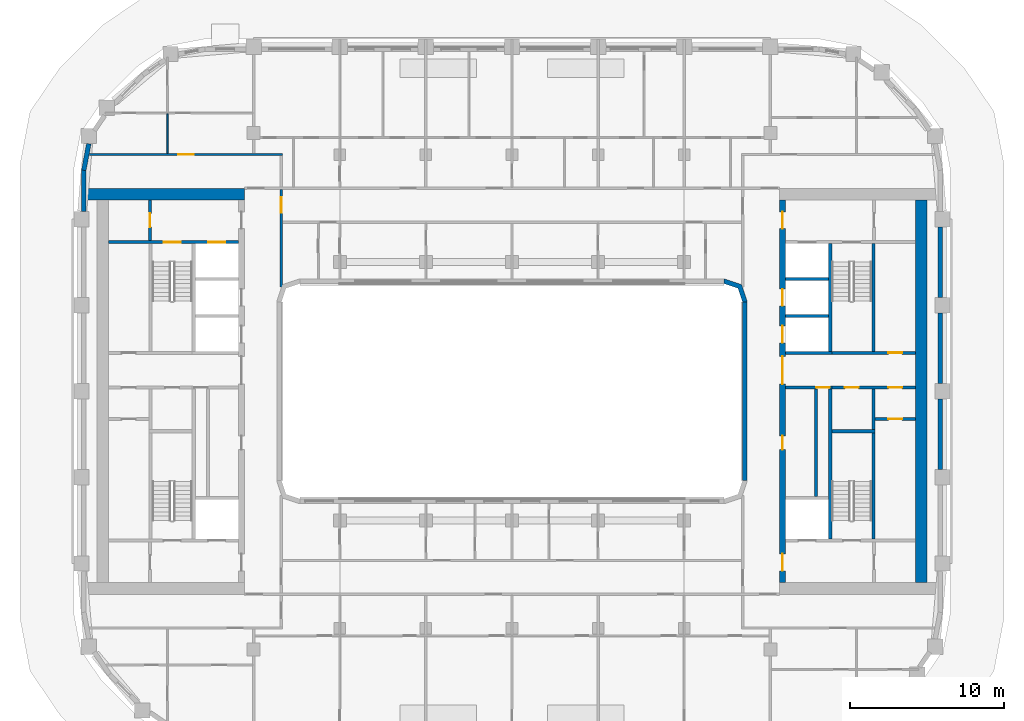
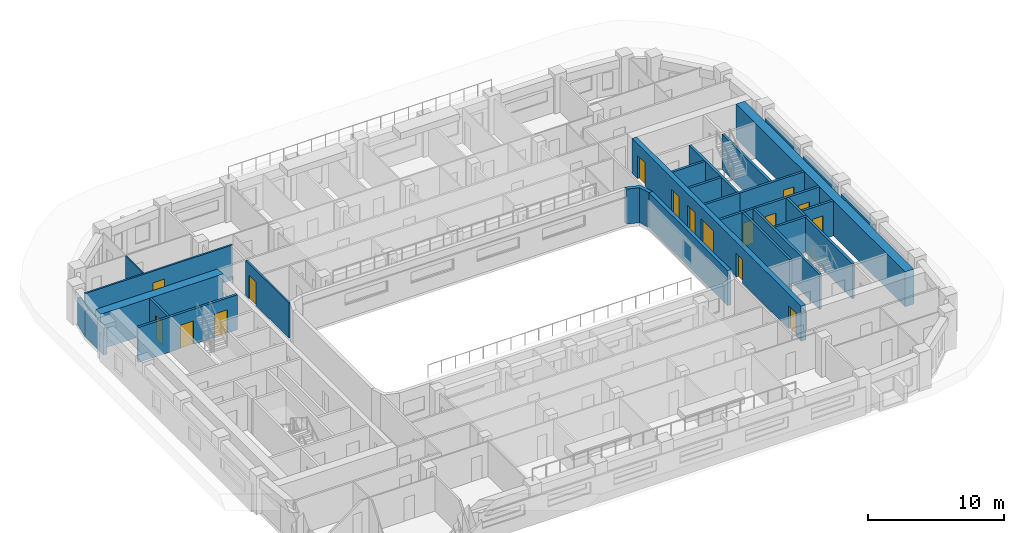
# One storey, part 6 of 17: 29 walls, 16 doors, 16 openings.
"""IFC4 building model written with IfcOpenShell, lengths in metres."""

from ifc_helpers import new_model, si_unit, direction, frame, frame_2d, origin, place, context, subcontext, project, spatial, polyline, rectangle, outline, extrude, material, layer, layer_set, type_object, element, fill, save


model = new_model("IFC4")

# Units and contexts
model_context = context("Model", 3, precision=1e-05, world=origin(), true_north=direction((0.0, 1.0)))
body_context = subcontext(model_context, "Body", "Model", "MODEL_VIEW")
ifc_project = project(units=[si_unit("LENGTHUNIT", "METRE"), si_unit("AREAUNIT", "SQUARE_METRE"), si_unit("VOLUMEUNIT", "CUBIC_METRE"), si_unit("PLANEANGLEUNIT", "RADIAN"), si_unit("MASSUNIT", "GRAM", prefix="KILO")], contexts=[model_context])

# Site, building, storey
site_placement = place(None, origin())
site = spatial("IfcSite", under=ifc_project, at=site_placement, CompositionType="ELEMENT")
building_placement = place(site_placement, origin())
building = spatial("IfcBuilding", under=site, at=building_placement, Name="Kiln Ring Residences", CompositionType="ELEMENT")
storey_placement = place(building_placement, frame((0.0, 0.0, 174.60009765625)))
storey = spatial("IfcBuildingStorey", under=building, at=storey_placement, Name="L45", CompositionType="ELEMENT", Elevation=174.60009765625)

# Wall, opening, door
ifc_material_1 = material(Name="Gypsum board on steel studs", Category="steel")
ifc_layer_1 = layer(ifc_material_1, 0.199951171875)
ifc_layer_set_1 = layer_set([ifc_layer_1], Name="CORE-PARTITION-200")
wall_type_1 = type_object("IfcWallType", Name="CORE-PARTITION-200", PredefinedType="PARTITIONING", material=ifc_layer_set_1)
wall_1_placement = place(storey_placement, frame((-23.550048828125, 9.800048828125, 0.0), z_axis=(0.0, 0.0, 1.0), x_axis=(0.0, 1.0, 0.0)))
wall_1 = element("IfcWall", 1, at=wall_1_placement, inside=storey, type_object=wall_type_1, Name="Core partition west L45 4", PredefinedType="PARTITIONING", context=body_context, shape_type="SweptSolid", body=[
    extrude(rectangle(XDim=2.64990234375, YDim=0.199951171875, at=frame_2d((1.324951171875, 0.0))), origin(), (0.0, 0.0, 1.0), 3.14990234375),
])
opening_1_placement = place(wall_1_placement, frame((0.875, 0.0, 0.0)))
opening_1 = element("IfcOpeningElement", 2, at=opening_1_placement, cuts=wall_1, Name="Opening L45-CW09", PredefinedType="OPENING", context=body_context, shape_type="SweptSolid", body=[
    extrude(rectangle(XDim=0.89990234375, YDim=2.10009765625, at=frame_2d((0.449951171875, 1.050048828125))), frame((0.0, 0.10986328125, 0.0), z_axis=(0.0, -1.0, 0.0), x_axis=(1.0, 0.0, 0.0)), (0.0, 0.0, 1.0), 0.219970703125),
])
ifc_material_2 = material(Name="Steel door leaf", Category="steel")
door_type_1 = type_object("IfcDoorType", Name="CORE-DOOR-ROOM", OperationType="SINGLE_SWING_LEFT", PredefinedType="DOOR", material=ifc_material_2)
door_1_placement = place(opening_1_placement, origin())
door_1 = element("IfcDoor", 3, at=door_1_placement, inside=storey, type_object=door_type_1, Name="Fire riser room L45-CW09", OperationType="SINGLE_SWING_LEFT", OverallHeight=2.10009765625, OverallWidth=0.89990234375, PredefinedType="DOOR", context=body_context, shape_type="SweptSolid", body=[
    extrude(rectangle(XDim=0.89990234375, YDim=2.10009765625, at=frame_2d((0.449951171875, 1.050048828125))), frame((0.0, 0.02490234375, 0.0), z_axis=(0.0, -1.0, 0.0), x_axis=(1.0, 0.0, 0.0)), (0.0, 0.0, 1.0), 0.050048828125),
])
fill(opening_1, door_1)

# Wall
wall_2_placement = place(storey_placement, frame((23.5, -2.5, 0.0), z_axis=(0.0, 0.0, 1.0), x_axis=(0.0, 1.0, 0.0)))
element("IfcWall", 4, at=wall_2_placement, inside=storey, type_object=wall_type_1, Name="Core partition east L45 1", PredefinedType="PARTITIONING", context=body_context, shape_type="SweptSolid", body=[
    extrude(rectangle(XDim=2.64990234375, YDim=0.199951171875, at=frame_2d((1.324951171875, 0.0))), origin(), (0.0, 0.0, 1.0), 3.14990234375),
])

# Wall, openings, doors
wall_3_placement = place(storey_placement, frame((20.800048828125, 0.25, 0.0), z_axis=(0.0, 0.0, 1.0), x_axis=(1.0, 0.0, 0.0)))
wall_3 = element("IfcWall", 5, at=wall_3_placement, inside=storey, type_object=wall_type_1, Name="Core partition east L45 2", PredefinedType="PARTITIONING", context=body_context, shape_type="SweptSolid", body=[
    extrude(rectangle(XDim=5.449951171875, YDim=0.199951171875, at=frame_2d((2.72509765625, 0.0))), origin(), (0.0, 0.0, 1.0), 3.14990234375),
])
opening_2_placement = place(wall_3_placement, frame((0.85009765625, 0.0, 0.0)))
opening_2 = element("IfcOpeningElement", 6, at=opening_2_placement, cuts=wall_3, Name="Opening L45-CE14", PredefinedType="OPENING", context=body_context, shape_type="SweptSolid", body=[
    extrude(rectangle(XDim=0.89990234375, YDim=2.10009765625, at=frame_2d((0.449951171875, 1.050048828125))), frame((0.0, 0.10986328125, 0.0), z_axis=(0.0, -1.0, 0.0), x_axis=(1.0, 0.0, 0.0)), (0.0, 0.0, 1.0), 0.219970703125),
])
opening_3_placement = place(wall_3_placement, frame((3.675048828125, 0.0, 0.0)))
opening_3 = element("IfcOpeningElement", 7, at=opening_3_placement, cuts=wall_3, Name="Opening L45-CE16", PredefinedType="OPENING", context=body_context, shape_type="SweptSolid", body=[
    extrude(rectangle(XDim=0.89990234375, YDim=2.10009765625, at=frame_2d((0.449951171875, 1.050048828125))), frame((0.0, 0.10986328125, 0.0), z_axis=(0.0, -1.0, 0.0), x_axis=(1.0, 0.0, 0.0)), (0.0, 0.0, 1.0), 0.219970703125),
])
door_2_placement = place(opening_2_placement, origin())
door_2 = element("IfcDoor", 8, at=door_2_placement, inside=storey, type_object=door_type_1, Name="Linen store L45-CE14", OperationType="SINGLE_SWING_LEFT", OverallHeight=2.10009765625, OverallWidth=0.89990234375, PredefinedType="DOOR", context=body_context, shape_type="SweptSolid", body=[
    extrude(rectangle(XDim=0.89990234375, YDim=2.10009765625, at=frame_2d((0.449951171875, 1.050048828125))), frame((0.0, 0.02490234375, 0.0), z_axis=(0.0, -1.0, 0.0), x_axis=(1.0, 0.0, 0.0)), (0.0, 0.0, 1.0), 0.050048828125),
])
fill(opening_2, door_2)
door_3_placement = place(opening_3_placement, origin())
door_3 = element("IfcDoor", 9, at=door_3_placement, inside=storey, type_object=door_type_1, Name="Pump and valve room L45-CE16", OperationType="SINGLE_SWING_LEFT", OverallHeight=2.10009765625, OverallWidth=0.89990234375, PredefinedType="DOOR", context=body_context, shape_type="SweptSolid", body=[
    extrude(rectangle(XDim=0.89990234375, YDim=2.10009765625, at=frame_2d((0.449951171875, 1.050048828125))), frame((0.0, 0.02490234375, 0.0), z_axis=(0.0, -1.0, 0.0), x_axis=(1.0, 0.0, 0.0)), (0.0, 0.0, 1.0), 0.050048828125),
])
fill(opening_3, door_3)

# Wall
wall_4_placement = place(storey_placement, frame((19.760009765625, -6.85009765625, 0.0), z_axis=(0.0, 0.0, 1.0), x_axis=(0.0, 1.0, 0.0)))
element("IfcWall", 10, at=wall_4_placement, inside=storey, type_object=wall_type_1, Name="Core partition east L45 3", PredefinedType="PARTITIONING", context=body_context, shape_type="SweptSolid", body=[
    extrude(rectangle(XDim=7.0, YDim=0.199951171875, at=frame_2d((3.5, 0.0))), origin(), (0.0, 0.0, 1.0), 3.14990234375),
])

# Wall, opening, door
wall_5_placement = place(storey_placement, frame((23.60009765625, -1.800048828125, 0.0), z_axis=(0.0, 0.0, 1.0), x_axis=(1.0, 0.0, 0.0)))
wall_5 = element("IfcWall", 11, at=wall_5_placement, inside=storey, type_object=wall_type_1, Name="Core partition east L45 6", PredefinedType="PARTITIONING", context=body_context, shape_type="SweptSolid", body=[
    extrude(rectangle(XDim=2.64990234375, YDim=0.199951171875, at=frame_2d((1.324951171875, 0.0))), origin(), (0.0, 0.0, 1.0), 3.14990234375),
])
opening_4_placement = place(wall_5_placement, frame((0.875, 0.0, 0.0)))
opening_4 = element("IfcOpeningElement", 12, at=opening_4_placement, cuts=wall_5, Name="Opening L45-CE15", PredefinedType="OPENING", context=body_context, shape_type="SweptSolid", body=[
    extrude(rectangle(XDim=0.89990234375, YDim=2.10009765625, at=frame_2d((0.449951171875, 1.050048828125))), frame((0.0, 0.10986328125, 0.0), z_axis=(0.0, -1.0, 0.0), x_axis=(1.0, 0.0, 0.0)), (0.0, 0.0, 1.0), 0.219970703125),
])
door_4_placement = place(opening_4_placement, origin())
door_4 = element("IfcDoor", 13, at=door_4_placement, inside=storey, type_object=door_type_1, Name="Pump and valve room L45-CE15", OperationType="SINGLE_SWING_LEFT", OverallHeight=2.10009765625, OverallWidth=0.89990234375, PredefinedType="DOOR", context=body_context, shape_type="SweptSolid", body=[
    extrude(rectangle(XDim=0.89990234375, YDim=2.10009765625, at=frame_2d((0.449951171875, 1.050048828125))), frame((0.0, 0.02490234375, 0.0), z_axis=(0.0, -1.0, 0.0), x_axis=(1.0, 0.0, 0.0)), (0.0, 0.0, 1.0), 0.050048828125),
])
fill(opening_4, door_4)

ifc_material_3 = material(Name="Gypsum shaft wall system")
ifc_layer_2 = layer(ifc_material_3, 0.199951171875)
ifc_layer_set_2 = layer_set([ifc_layer_2], Name="CORE-SHAFT-WALL-200")
wall_type_2 = type_object("IfcWallType", Name="CORE-SHAFT-WALL-200", PredefinedType="PARTITIONING", material=ifc_layer_set_2)
wall_6_placement = place(storey_placement, frame((17.800048828125, 0.25, 0.0), z_axis=(0.0, 0.0, 1.0), x_axis=(1.0, 0.0, 0.0)))
wall_6 = element("IfcWall", 14, at=wall_6_placement, inside=storey, type_object=wall_type_2, Name="Core partition east L45 8", PredefinedType="PARTITIONING", context=body_context, shape_type="SweptSolid", body=[
    extrude(rectangle(XDim=3.0, YDim=0.199951171875, at=frame_2d((1.5, 0.0))), origin(), (0.0, 0.0, 1.0), 3.14990234375),
])
opening_5_placement = place(wall_6_placement, frame((1.97998046875, 0.0, 0.0)))
opening_5 = element("IfcOpeningElement", 15, at=opening_5_placement, cuts=wall_6, Name="Opening L45-CE03", PredefinedType="OPENING", context=body_context, shape_type="SweptSolid", body=[
    extrude(rectangle(XDim=0.89990234375, YDim=2.10009765625, at=frame_2d((0.449951171875, 1.050048828125))), frame((0.0, 0.10986328125, 0.0), z_axis=(0.0, -1.0, 0.0), x_axis=(1.0, 0.0, 0.0)), (0.0, 0.0, 1.0), 0.219970703125),
])
door_5_placement = place(opening_5_placement, origin())
door_5 = element("IfcDoor", 16, at=door_5_placement, inside=storey, type_object=door_type_1, Name="Waste room L45-CE03", OperationType="SINGLE_SWING_RIGHT", OverallHeight=2.10009765625, OverallWidth=0.89990234375, PredefinedType="DOOR", context=body_context, shape_type="SweptSolid", body=[
    extrude(rectangle(XDim=0.89990234375, YDim=2.10009765625, at=frame_2d((0.449951171875, 1.050048828125))), frame((0.0, 0.02490234375, 0.0), z_axis=(0.0, -1.0, 0.0), x_axis=(1.0, 0.0, 0.0)), (0.0, 0.0, 1.0), 0.050048828125),
])
fill(opening_5, door_5)

# Walls
wall_7_placement = place(storey_placement, frame((17.800048828125, 2.5, 0.0), z_axis=(0.0, 0.0, 1.0), x_axis=(1.0, 0.0, 0.0)))
element("IfcWall", 17, at=wall_7_placement, inside=storey, type_object=wall_type_2, Name="Core partition east L45 9", PredefinedType="PARTITIONING", context=body_context, shape_type="SweptSolid", body=[
    extrude(rectangle(XDim=3.0, YDim=0.199951171875, at=frame_2d((1.5, 0.0))), origin(), (0.0, 0.0, 1.0), 3.14990234375),
])
for number, where, z_axis, x_axis, name in (
    (18, (17.800048828125, 4.89990234375, 0.0), (0.0, 0.0, 1.0), (1.0, 0.0, 0.0), "Core partition east L45 10"),
    (19, (17.800048828125, 7.300048828125, 0.0), (0.0, 0.0, 1.0), (1.0, 0.0, 0.0), "Core partition east L45 11"),
):
    element("IfcWall", number, at=place(storey_placement, frame(where, z_axis=z_axis, x_axis=x_axis)), inside=storey, type_object=wall_type_2, Name=name, PredefinedType="PARTITIONING", context=body_context, shape_type="SweptSolid", body=[
        extrude(rectangle(XDim=2.800048828125, YDim=0.199951171875, at=frame_2d((1.39990234375, 0.0))), origin(), (0.0, 0.0, 1.0), 3.14990234375),
    ])

# Wall, openings, doors
ifc_material_4 = material(Name="Concrete C40/50", Category="concrete")
ifc_layer_3 = layer(ifc_material_4, 0.199951171875)
ifc_layer_set_3 = layer_set([ifc_layer_3], Name="CORE-WALL-RC200")
wall_type_3 = type_object("IfcWallType", Name="CORE-WALL-RC200", PredefinedType="SHEAR", material=ifc_layer_set_3)
wall_8_placement = place(storey_placement, frame((-17.800048828125, 9.699951171875, 0.0), z_axis=(0.0, 0.0, 1.0), x_axis=(-1.0, 0.0, 0.0)))
wall_8 = element("IfcWall", 20, at=wall_8_placement, inside=storey, type_object=wall_type_3, Name="Core wall west L45 9", PredefinedType="SHEAR", context=body_context, shape_type="SweptSolid", body=[
    extrude(rectangle(XDim=8.449951171875, YDim=0.199951171875, at=frame_2d((4.22509765625, 0.0))), origin(), (0.0, 0.0, 1.0), 3.14990234375),
])
opening_6_placement = place(wall_8_placement, frame((0.85009765625, 0.0, 0.0)))
opening_6 = element("IfcOpeningElement", 21, at=opening_6_placement, cuts=wall_8, Name="Opening L45-CW06", PredefinedType="OPENING", context=body_context, shape_type="SweptSolid", body=[
    extrude(rectangle(XDim=1.10009765625, YDim=2.10009765625, at=frame_2d((0.550048828125, 1.050048828125))), frame((0.0, 0.10986328125, 0.0), z_axis=(0.0, -1.0, 0.0), x_axis=(1.0, 0.0, 0.0)), (0.0, 0.0, 1.0), 0.219970703125),
])
opening_7_placement = place(wall_8_placement, frame((3.75, 0.0, 0.0)))
opening_7 = element("IfcOpeningElement", 22, at=opening_7_placement, cuts=wall_8, Name="Opening L45-CW11", PredefinedType="OPENING", context=body_context, shape_type="SweptSolid", body=[
    extrude(rectangle(XDim=1.10009765625, YDim=2.10009765625, at=frame_2d((0.550048828125, 1.050048828125))), frame((0.0, 0.10986328125, 0.0), z_axis=(0.0, -1.0, 0.0), x_axis=(1.0, 0.0, 0.0)), (0.0, 0.0, 1.0), 0.219970703125),
])
ifc_material_5 = material(Name="Steel door leaf", Category="steel")
door_type_2 = type_object("IfcDoorType", Name="CORE-DOOR-LD", OperationType="DOUBLE_DOOR_SLIDING", PredefinedType="DOOR", material=ifc_material_5)
door_6_placement = place(opening_6_placement, origin())
door_6 = element("IfcDoor", 23, at=door_6_placement, inside=storey, type_object=door_type_2, Name="LD W-FF L45-CW06", OperationType="DOUBLE_DOOR_SLIDING", OverallHeight=2.10009765625, OverallWidth=1.10009765625, PredefinedType="DOOR", context=body_context, shape_type="SweptSolid", body=[
    extrude(rectangle(XDim=1.10009765625, YDim=2.10009765625, at=frame_2d((0.550048828125, 1.050048828125))), frame((0.0, 0.02490234375, 0.0), z_axis=(0.0, -1.0, 0.0), x_axis=(1.0, 0.0, 0.0)), (0.0, 0.0, 1.0), 0.050048828125),
])
fill(opening_6, door_6)
ifc_material_6 = material(Name="Steel door leaf", Category="steel")
door_type_3 = type_object("IfcDoorType", Name="CORE-DOOR-STAIR", OperationType="SINGLE_SWING_LEFT", PredefinedType="DOOR", material=ifc_material_6)
door_7_placement = place(opening_7_placement, origin())
door_7 = element("IfcDoor", 24, at=door_7_placement, inside=storey, type_object=door_type_3, Name="Stair W-STN L45-CW11", OperationType="SINGLE_SWING_LEFT", OverallHeight=2.10009765625, OverallWidth=1.10009765625, PredefinedType="DOOR", context=body_context, shape_type="SweptSolid", body=[
    extrude(rectangle(XDim=1.10009765625, YDim=2.10009765625, at=frame_2d((0.550048828125, 1.050048828125))), frame((0.0, 0.02490234375, 0.0), z_axis=(0.0, -1.0, 0.0), x_axis=(1.0, 0.0, 0.0)), (0.0, 0.0, 1.0), 0.050048828125),
])
fill(opening_7, door_7)

# Walls
wall_9_placement = place(storey_placement, frame((20.699951171875, 2.60009765625, 0.0), z_axis=(0.0, 0.0, 1.0), x_axis=(0.0, 1.0, 0.0)))
element("IfcWall", 25, at=wall_9_placement, inside=storey, type_object=wall_type_3, Name="Core wall east L45 1", PredefinedType="SHEAR", context=body_context, shape_type="SweptSolid", body=[
    extrude(rectangle(XDim=7.0, YDim=0.199951171875, at=frame_2d((3.5, 0.0))), origin(), (0.0, 0.0, 1.0), 3.14990234375),
])
wall_10_placement = place(storey_placement, frame((20.699951171875, -9.60009765625, 0.0), z_axis=(0.0, 0.0, 1.0), x_axis=(0.0, 1.0, 0.0)))
element("IfcWall", 26, at=wall_10_placement, inside=storey, type_object=wall_type_3, Name="Core wall east L45 2", PredefinedType="SHEAR", context=body_context, shape_type="SweptSolid", body=[
    extrude(rectangle(XDim=9.75, YDim=0.199951171875, at=frame_2d((4.875, 0.0))), origin(), (0.0, 0.0, 1.0), 3.14990234375),
])

# Wall, opening, door
wall_11_placement = place(storey_placement, frame((20.800048828125, 2.5, 0.0), z_axis=(0.0, 0.0, 1.0), x_axis=(1.0, 0.0, 0.0)))
wall_11 = element("IfcWall", 27, at=wall_11_placement, inside=storey, type_object=wall_type_3, Name="Core wall east L45 3", PredefinedType="SHEAR", context=body_context, shape_type="SweptSolid", body=[
    extrude(rectangle(XDim=5.449951171875, YDim=0.199951171875, at=frame_2d((2.72509765625, 0.0))), origin(), (0.0, 0.0, 1.0), 3.14990234375),
])
opening_8_placement = place(wall_11_placement, frame((3.675048828125, 0.0, 0.0)))
opening_8 = element("IfcOpeningElement", 28, at=opening_8_placement, cuts=wall_11, Name="Opening L45-CE17", PredefinedType="OPENING", context=body_context, shape_type="SweptSolid", body=[
    extrude(rectangle(XDim=0.89990234375, YDim=2.10009765625, at=frame_2d((0.449951171875, 1.050048828125))), frame((0.0, 0.10986328125, 0.0), z_axis=(0.0, -1.0, 0.0), x_axis=(1.0, 0.0, 0.0)), (0.0, 0.0, 1.0), 0.219970703125),
])
door_8_placement = place(opening_8_placement, origin())
door_8 = element("IfcDoor", 29, at=door_8_placement, inside=storey, type_object=door_type_1, Name="Electrical plant room L45-CE17", OperationType="SINGLE_SWING_LEFT", OverallHeight=2.10009765625, OverallWidth=0.89990234375, PredefinedType="DOOR", context=body_context, shape_type="SweptSolid", body=[
    extrude(rectangle(XDim=0.89990234375, YDim=2.10009765625, at=frame_2d((0.449951171875, 1.050048828125))), frame((0.0, 0.02490234375, 0.0), z_axis=(0.0, -1.0, 0.0), x_axis=(1.0, 0.0, 0.0)), (0.0, 0.0, 1.0), 0.050048828125),
])
fill(opening_8, door_8)

# Walls
wall_12_placement = place(storey_placement, frame((23.5, 2.60009765625, 0.0), z_axis=(0.0, 0.0, 1.0), x_axis=(0.0, 1.0, 0.0)))
element("IfcWall", 30, at=wall_12_placement, inside=storey, type_object=wall_type_3, Name="Core wall east L45 10", PredefinedType="SHEAR", context=body_context, shape_type="SweptSolid", body=[
    extrude(rectangle(XDim=7.0, YDim=0.199951171875, at=frame_2d((3.5, 0.0))), origin(), (0.0, 0.0, 1.0), 3.14990234375),
])
wall_13_placement = place(storey_placement, frame((23.5, -9.60009765625, 0.0), z_axis=(0.0, 0.0, 1.0), x_axis=(0.0, 1.0, 0.0)))
element("IfcWall", 31, at=wall_13_placement, inside=storey, type_object=wall_type_3, Name="Core wall east L45 11", PredefinedType="SHEAR", context=body_context, shape_type="SweptSolid", body=[
    extrude(rectangle(XDim=6.900146484375, YDim=0.199951171875, at=frame_2d((3.4501953125, 0.0))), origin(), (0.0, 0.0, 1.0), 3.14990234375),
])
wall_14_placement = place(storey_placement, frame((20.800048828125, -2.60009765625, 0.0), z_axis=(0.0, 0.0, 1.0), x_axis=(1.0, 0.0, 0.0)))
element("IfcWall", 32, at=wall_14_placement, inside=storey, type_object=wall_type_3, Name="Core wall east L45 12", PredefinedType="SHEAR", context=body_context, shape_type="SweptSolid", body=[
    extrude(rectangle(XDim=2.800048828125, YDim=0.199951171875, at=frame_2d((1.39990234375, 0.0))), origin(), (0.0, 0.0, 1.0), 3.14990234375),
])

# Wall, openings, doors
ifc_material_7 = material(Name="Concrete C60/75", Category="concrete")
ifc_layer_4 = layer(ifc_material_7, 0.39990234375)
ifc_layer_set_4 = layer_set([ifc_layer_4], Name="CORE-WALL-RC400")
wall_type_4 = type_object("IfcWallType", Name="CORE-WALL-RC400", PredefinedType="SHEAR", material=ifc_layer_set_4)
wall_15_placement = place(storey_placement, frame((17.60009765625, -12.449951171875, 0.0), z_axis=(0.0, 0.0, 1.0), x_axis=(0.0, 1.0, 0.0)))
wall_15 = element("IfcWall", 33, at=wall_15_placement, inside=storey, type_object=wall_type_4, Name="Core wall east L45 6", PredefinedType="SHEAR", context=body_context, shape_type="SweptSolid", body=[
    extrude(rectangle(XDim=24.89990234375, YDim=0.39990234375, at=frame_2d((12.449951171875, 0.0))), origin(), (0.0, 0.0, 1.0), 3.14990234375),
])
opening_9_placement = place(wall_15_placement, frame((8.64990234375, 0.0, 0.0)))
opening_9 = element("IfcOpeningElement", 34, at=opening_9_placement, cuts=wall_15, Name="Opening L45-CE02", PredefinedType="OPENING", context=body_context, shape_type="SweptSolid", body=[
    extrude(rectangle(XDim=0.89990234375, YDim=2.10009765625, at=frame_2d((0.449951171875, 1.050048828125))), frame((0.0, 0.2099609375, 0.0), z_axis=(0.0, -1.0, 0.0), x_axis=(1.0, 0.0, 0.0)), (0.0, 0.0, 1.0), 0.419921875),
])
opening_10_placement = place(wall_15_placement, frame((15.60009765625, 0.0, 0.0)))
opening_10 = element("IfcOpeningElement", 35, at=opening_10_placement, cuts=wall_15, Name="Opening L45-CE04", PredefinedType="OPENING", context=body_context, shape_type="SweptSolid", body=[
    extrude(rectangle(XDim=1.10009765625, YDim=2.10009765625, at=frame_2d((0.550048828125, 1.050048828125))), frame((0.0, 0.2099609375, 0.0), z_axis=(0.0, -1.0, 0.0), x_axis=(1.0, 0.0, 0.0)), (0.0, 0.0, 1.0), 0.419921875),
])
opening_11_placement = place(wall_15_placement, frame((18.0, 0.0, 0.0)))
opening_11 = element("IfcOpeningElement", 36, at=opening_11_placement, cuts=wall_15, Name="Opening L45-CE05", PredefinedType="OPENING", context=body_context, shape_type="SweptSolid", body=[
    extrude(rectangle(XDim=1.10009765625, YDim=2.10009765625, at=frame_2d((0.550048828125, 1.050048828125))), frame((0.0, 0.2099609375, 0.0), z_axis=(0.0, -1.0, 0.0), x_axis=(1.0, 0.0, 0.0)), (0.0, 0.0, 1.0), 0.419921875),
])
opening_12_placement = place(wall_15_placement, frame((23.02490234375, 0.0, 0.0)))
opening_12 = element("IfcOpeningElement", 37, at=opening_12_placement, cuts=wall_15, Name="Opening L45-CE07", PredefinedType="OPENING", context=body_context, shape_type="SweptSolid", body=[
    extrude(rectangle(XDim=1.10009765625, YDim=2.10009765625, at=frame_2d((0.550048828125, 1.050048828125))), frame((0.0, 0.2099609375, 0.0), z_axis=(0.0, -1.0, 0.0), x_axis=(1.0, 0.0, 0.0)), (0.0, 0.0, 1.0), 0.419921875),
])
opening_13_placement = place(wall_15_placement, frame((0.77490234375, 0.0, 0.0)))
opening_13 = element("IfcOpeningElement", 38, at=opening_13_placement, cuts=wall_15, Name="Opening L45-CE08", PredefinedType="OPENING", context=body_context, shape_type="SweptSolid", body=[
    extrude(rectangle(XDim=1.10009765625, YDim=2.10009765625, at=frame_2d((0.550048828125, 1.050048828125))), frame((0.0, 0.2099609375, 0.0), z_axis=(0.0, -1.0, 0.0), x_axis=(1.0, 0.0, 0.0)), (0.0, 0.0, 1.0), 0.419921875),
])
opening_14_placement = place(wall_15_placement, frame((12.925048828125, 0.0, 0.0)))
opening_14 = element("IfcOpeningElement", 39, at=opening_14_placement, cuts=wall_15, Name="Opening L45-CE13", PredefinedType="OPENING", context=body_context, shape_type="SweptSolid", body=[
    extrude(rectangle(XDim=1.800048828125, YDim=2.10009765625, at=frame_2d((0.89990234375, 1.050048828125))), frame((0.0, 0.2099609375, 0.0), z_axis=(0.0, -1.0, 0.0), x_axis=(1.0, 0.0, 0.0)), (0.0, 0.0, 1.0), 0.419921875),
])
door_9_placement = place(opening_10_placement, origin())
door_9 = element("IfcDoor", 40, at=door_9_placement, inside=storey, type_object=door_type_2, Name="LD E-M1 L45-CE04", OperationType="DOUBLE_DOOR_SLIDING", OverallHeight=2.10009765625, OverallWidth=1.10009765625, PredefinedType="DOOR", context=body_context, shape_type="SweptSolid", body=[
    extrude(rectangle(XDim=1.10009765625, YDim=2.10009765625, at=frame_2d((0.550048828125, 1.050048828125))), frame((0.0, 0.02490234375, 0.0), z_axis=(0.0, -1.0, 0.0), x_axis=(1.0, 0.0, 0.0)), (0.0, 0.0, 1.0), 0.050048828125),
])
fill(opening_10, door_9)
door_10_placement = place(opening_11_placement, origin())
door_10 = element("IfcDoor", 41, at=door_10_placement, inside=storey, type_object=door_type_2, Name="LD E-M2 L45-CE05", OperationType="DOUBLE_DOOR_SLIDING", OverallHeight=2.10009765625, OverallWidth=1.10009765625, PredefinedType="DOOR", context=body_context, shape_type="SweptSolid", body=[
    extrude(rectangle(XDim=1.10009765625, YDim=2.10009765625, at=frame_2d((0.550048828125, 1.050048828125))), frame((0.0, 0.02490234375, 0.0), z_axis=(0.0, -1.0, 0.0), x_axis=(1.0, 0.0, 0.0)), (0.0, 0.0, 1.0), 0.050048828125),
])
fill(opening_11, door_10)
ifc_material_8 = material(Name="Steel door leaf", Category="steel")
door_type_4 = type_object("IfcDoorType", Name="CORE-DOOR-LOBBY", OperationType="SINGLE_SWING_LEFT", PredefinedType="DOOR", material=ifc_material_8)
door_11_placement = place(opening_12_placement, origin())
door_11 = element("IfcDoor", 42, at=door_11_placement, inside=storey, type_object=door_type_4, Name="FFL L45-CE07", OperationType="SINGLE_SWING_LEFT", OverallHeight=2.10009765625, OverallWidth=1.10009765625, PredefinedType="DOOR", context=body_context, shape_type="SweptSolid", body=[
    extrude(rectangle(XDim=1.10009765625, YDim=2.10009765625, at=frame_2d((0.550048828125, 1.050048828125))), frame((0.0, 0.02490234375, 0.0), z_axis=(0.0, -1.0, 0.0), x_axis=(1.0, 0.0, 0.0)), (0.0, 0.0, 1.0), 0.050048828125),
])
fill(opening_12, door_11)
door_12_placement = place(opening_13_placement, origin())
door_12 = element("IfcDoor", 43, at=door_12_placement, inside=storey, type_object=door_type_4, Name="SVL L45-CE08", OperationType="SINGLE_SWING_RIGHT", OverallHeight=2.10009765625, OverallWidth=1.10009765625, PredefinedType="DOOR", context=body_context, shape_type="SweptSolid", body=[
    extrude(rectangle(XDim=1.10009765625, YDim=2.10009765625, at=frame_2d((0.550048828125, 1.050048828125))), frame((0.0, 0.02490234375, 0.0), z_axis=(0.0, -1.0, 0.0), x_axis=(1.0, 0.0, 0.0)), (0.0, 0.0, 1.0), 0.050048828125),
])
fill(opening_13, door_12)
ifc_material_9 = material(Name="Steel door leaf", Category="steel")
door_type_5 = type_object("IfcDoorType", Name="CORE-DOOR-PASS", OperationType="DOUBLE_DOOR_SINGLE_SWING", PredefinedType="DOOR", material=ifc_material_9)
door_13_placement = place(opening_14_placement, origin())
door_13 = element("IfcDoor", 44, at=door_13_placement, inside=storey, type_object=door_type_5, Name="Core passage L45-CE13", OperationType="DOUBLE_DOOR_SINGLE_SWING", OverallHeight=2.10009765625, OverallWidth=1.800048828125, PredefinedType="DOOR", context=body_context, shape_type="SweptSolid", body=[
    extrude(rectangle(XDim=1.800048828125, YDim=2.10009765625, at=frame_2d((0.89990234375, 1.050048828125))), frame((0.0, 0.02490234375, 0.0), z_axis=(0.0, -1.0, 0.0), x_axis=(1.0, 0.0, 0.0)), (0.0, 0.0, 1.0), 0.050048828125),
])
fill(opening_14, door_13)
door_14_placement = place(opening_9_placement, origin())
door_14 = element("IfcDoor", 45, at=door_14_placement, inside=storey, type_object=door_type_1, Name="Janitor's store L45-CE02", OperationType="SINGLE_SWING_LEFT", OverallHeight=2.10009765625, OverallWidth=0.89990234375, PredefinedType="DOOR", context=body_context, shape_type="SweptSolid", body=[
    extrude(rectangle(XDim=0.89990234375, YDim=2.10009765625, at=frame_2d((0.449951171875, 1.050048828125))), frame((0.0, 0.02490234375, 0.0), z_axis=(0.0, -1.0, 0.0), x_axis=(1.0, 0.0, 0.0)), (0.0, 0.0, 1.0), 0.050048828125),
])
fill(opening_9, door_14)

# Walls
ifc_material_10 = material(Name="Concrete C60/75", Category="concrete")
ifc_layer_5 = layer(ifc_material_10, 0.75)
ifc_layer_set_5 = layer_set([ifc_layer_5], Name="CORE-WALL-RC750")
wall_type_5 = type_object("IfcWallType", Name="CORE-WALL-RC750", PredefinedType="SHEAR", material=ifc_layer_set_5)
wall_16_placement = place(storey_placement, frame((-17.39990234375, 12.824951171875, 0.0), z_axis=(0.0, 0.0, 1.0), x_axis=(-1.0, 0.0, 0.0)))
element("IfcWall", 46, at=wall_16_placement, inside=storey, type_object=wall_type_5, Name="Core wall west L45 4", PredefinedType="SHEAR", context=body_context, shape_type="SweptSolid", body=[
    extrude(rectangle(XDim=10.400146484375, YDim=0.75, at=frame_2d((5.2001953125, 0.0))), origin(), (0.0, 0.0, 1.0), 3.14990234375),
])
wall_17_placement = place(storey_placement, frame((26.625, -12.449951171875, 0.0), z_axis=(0.0, 0.0, 1.0), x_axis=(0.0, 1.0, 0.0)))
element("IfcWall", 47, at=wall_17_placement, inside=storey, type_object=wall_type_5, Name="Core wall east L45 7", PredefinedType="SHEAR", context=body_context, shape_type="SweptSolid", body=[
    extrude(rectangle(XDim=24.89990234375, YDim=0.75, at=frame_2d((12.449951171875, 0.0))), origin(), (0.0, 0.0, 1.0), 3.14990234375),
])
ifc_material_11 = material(Name="Brick masonry, dark clay brick", Category="masonry")
ifc_layer_6 = layer(ifc_material_11, 0.300048828125)
ifc_layer_set_6 = layer_set([ifc_layer_6], Name="EW-300 BRICK WALL")
wall_type_6 = type_object("IfcWallType", Name="EW-300 BRICK WALL", PredefinedType="SOLIDWALL", material=ifc_layer_set_6)
for number, where, z_axis, x_axis, name in (
    (48, (27.85009765625, -5.10009765625, 0.0), (0.0, 0.0, 1.0), (0.0, 1.0, 0.0), "Facade wall L45 19"),
    (49, (27.85009765625, 0.5, 0.0), (0.0, 0.0, 1.0), (0.0, 1.0, 0.0), "Facade wall L45 20"),
):
    element("IfcWall", number, at=place(storey_placement, frame(where, z_axis=z_axis, x_axis=x_axis)), inside=storey, type_object=wall_type_6, Name=name, PredefinedType="SOLIDWALL", context=body_context, shape_type="SweptSolid", body=[
        extrude(rectangle(XDim=4.60009765625, YDim=0.300048828125, at=frame_2d((2.300048828125, 0.0))), origin(), (0.0, 0.0, 1.0), 2.39990234375),
    ])
wall_18_placement = place(storey_placement, frame((27.85009765625, 6.10009765625, 0.0), z_axis=(0.0, 0.0, 1.0), x_axis=(0.0, 1.0, 0.0)))
element("IfcWall", 50, at=wall_18_placement, inside=storey, type_object=wall_type_6, Name="Facade wall L45 21", PredefinedType="SOLIDWALL", context=body_context, shape_type="SweptSolid", body=[
    extrude(rectangle(XDim=4.599853515625, YDim=0.300048828125, at=frame_2d((2.2998046875, 0.0))), origin(), (0.0, 0.0, 1.0), 2.39990234375),
])
wall_19_placement = place(storey_placement, frame((-27.523681640625, 16.096923828125, 0.0), z_axis=(0.0, 0.0, 1.0), x_axis=(-0.187259034321, -0.982310569049, 0.0)))
element("IfcWall", 51, at=wall_19_placement, inside=storey, type_object=wall_type_6, Name="Facade wall L45 40", PredefinedType="SOLIDWALL", context=body_context, shape_type="SweptSolid", body=[
    extrude(rectangle(XDim=1.756103515625, YDim=0.300048828125, at=frame_2d((0.8779296875, 0.0))), origin(), (0.0, 0.0, 1.0), 2.39990234375),
])
wall_20_placement = place(storey_placement, frame((-27.85009765625, 14.39990234375, 0.0), z_axis=(0.0, 0.0, 1.0), x_axis=(0.0, -1.0, 0.0)))
element("IfcWall", 52, at=wall_20_placement, inside=storey, type_object=wall_type_6, Name="Facade wall L45 41", PredefinedType="SOLIDWALL", context=body_context, shape_type="SweptSolid", body=[
    extrude(rectangle(XDim=2.699951171875, YDim=0.300048828125, at=frame_2d((1.35009765625, 0.0))), origin(), (0.0, 0.0, 1.0), 2.39990234375),
])
wall_21_placement = place(storey_placement, frame((15.14990234375, 5.800048828125, 0.0), z_axis=(0.0, 0.0, 1.0), x_axis=(0.0, -1.0, 0.0)))
element("IfcWall", 53, at=wall_21_placement, inside=storey, type_object=wall_type_6, Name="Facade wall L45 51", PredefinedType="SOLIDWALL", context=body_context, shape_type="SweptSolid", body=[
    extrude(rectangle(XDim=11.60009765625, YDim=0.300048828125, at=frame_2d((5.800048828125, 0.0))), origin(), (0.0, 0.0, 1.0), 3.14990234375),
])
wall_22_placement = place(storey_placement, origin())
element("IfcWall", 54, at=wall_22_placement, inside=storey, type_object=wall_type_6, Name="Corner wall L45 2", PredefinedType="SOLIDWALL", context=body_context, shape_type="SweptSolid", body=[
    extrude(outline(polyline([(14.937255859375, 6.937255859375), (13.8486328125, 7.300048828125), (13.800048828125, 7.300048828125), (13.800048828125, 7.0), (14.699951171875, 6.699951171875), (15.0, 5.800048828125), (15.300048828125, 5.800048828125), (15.300048828125, 5.8486328125), (14.937255859375, 6.937255859375)])), origin(), (0.0, 0.0, 1.0), 3.14990234375),
])
ifc_material_12 = material(Name="Gypsum board on steel studs", Category="steel")
ifc_layer_7 = layer(ifc_material_12, 0.10009765625)
ifc_layer_set_7 = layer_set([ifc_layer_7], Name="PARTITION-100")
wall_type_7 = type_object("IfcWallType", Name="PARTITION-100", PredefinedType="PARTITIONING", material=ifc_layer_set_7)
wall_23_placement = place(storey_placement, frame((-22.39990234375, 15.47509765625, 0.0), z_axis=(0.0, 0.0, 1.0), x_axis=(0.0, 1.0, 0.0)))
element("IfcWall", 55, at=wall_23_placement, inside=storey, type_object=wall_type_7, Name="Partition 016", PredefinedType="PARTITIONING", context=body_context, shape_type="SweptSolid", body=[
    extrude(rectangle(XDim=2.574951171875, YDim=0.10009765625, at=frame_2d((1.28759765625, 0.0))), origin(), (0.0, 0.0, 1.0), 3.14990234375),
])

# Wall, opening, door
ifc_material_13 = material(Name="Brick masonry partition", Category="masonry")
ifc_layer_8 = layer(ifc_material_13, 0.14990234375)
ifc_layer_set_8 = layer_set([ifc_layer_8], Name="PARTITION-150-ei60")
wall_type_8 = type_object("IfcWallType", Name="PARTITION-150-ei60", PredefinedType="PARTITIONING", material=ifc_layer_set_8)
wall_24_placement = place(storey_placement, frame((-27.48388671875, 15.39990234375, 0.0), z_axis=(0.0, 0.0, 1.0), x_axis=(1.0, 0.0, 0.0)))
wall_24 = element("IfcWall", 56, at=wall_24_placement, inside=storey, type_object=wall_type_8, Name="Partition 009", PredefinedType="PARTITIONING", context=body_context, shape_type="SweptSolid", body=[
    extrude(rectangle(XDim=12.558837890625, YDim=0.14990234375, at=frame_2d((6.279296875, 0.0))), origin(), (0.0, 0.0, 1.0), 3.14990234375),
])
opening_15_placement = place(wall_24_placement, frame((5.78369140625, 0.0, 0.0)))
opening_15 = element("IfcOpeningElement", 57, at=opening_15_placement, cuts=wall_24, Name="Opening L45-D040", PredefinedType="OPENING", context=body_context, shape_type="SweptSolid", body=[
    extrude(rectangle(XDim=1.0, YDim=2.10009765625, at=frame_2d((0.5, 1.050048828125))), frame((0.0, 0.0849609375, 0.0), z_axis=(0.0, -1.0, 0.0), x_axis=(1.0, 0.0, 0.0)), (0.0, 0.0, 1.0), 0.169921875),
])
ifc_material_14 = material(Name="Steel faced fire door leaf", Category="steel")
door_type_6 = type_object("IfcDoorType", Name="FLAT-DOOR-1000-FR", OperationType="SINGLE_SWING_LEFT", PredefinedType="DOOR", material=ifc_material_14)
door_15_placement = place(opening_15_placement, origin())
door_15 = element("IfcDoor", 58, at=door_15_placement, inside=storey, type_object=door_type_6, Name="Door L45-D040", OperationType="SINGLE_SWING_RIGHT", OverallHeight=2.10009765625, OverallWidth=1.0, PredefinedType="DOOR", context=body_context, shape_type="SweptSolid", body=[
    extrude(rectangle(XDim=1.0, YDim=2.10009765625, at=frame_2d((0.5, 1.050048828125))), frame((0.0, 0.02490234375, 0.0), z_axis=(0.0, -1.0, 0.0), x_axis=(1.0, 0.0, 0.0)), (0.0, 0.0, 1.0), 0.050048828125),
])
fill(opening_15, door_15)

wall_25_placement = place(storey_placement, frame((-15.0, 6.768798828125, 0.0), z_axis=(0.0, 0.0, 1.0), x_axis=(0.0, 1.0, 0.0)))
wall_25 = element("IfcWall", 59, at=wall_25_placement, inside=storey, type_object=wall_type_8, Name="Partition 022", PredefinedType="PARTITIONING", context=body_context, shape_type="SweptSolid", body=[
    extrude(rectangle(XDim=6.356201171875, YDim=0.14990234375, at=frame_2d((3.17822265625, 0.0))), origin(), (0.0, 0.0, 1.0), 3.14990234375),
])
opening_16_placement = place(wall_25_placement, frame((4.860107421875, 0.0, 0.0)))
opening_16 = element("IfcOpeningElement", 60, at=opening_16_placement, cuts=wall_25, Name="Opening L45-D001", PredefinedType="OPENING", context=body_context, shape_type="SweptSolid", body=[
    extrude(rectangle(XDim=1.0, YDim=2.10009765625, at=frame_2d((0.5, 1.050048828125))), frame((0.0, 0.0849609375, 0.0), z_axis=(0.0, -1.0, 0.0), x_axis=(1.0, 0.0, 0.0)), (0.0, 0.0, 1.0), 0.169921875),
])
door_16_placement = place(opening_16_placement, origin())
door_16 = element("IfcDoor", 61, at=door_16_placement, inside=storey, type_object=door_type_6, Name="Door L45-D001", OperationType="SINGLE_SWING_RIGHT", OverallHeight=2.10009765625, OverallWidth=1.0, PredefinedType="DOOR", context=body_context, shape_type="SweptSolid", body=[
    extrude(rectangle(XDim=1.0, YDim=2.10009765625, at=frame_2d((0.5, 1.050048828125))), frame((0.0, 0.02490234375, 0.0), z_axis=(0.0, -1.0, 0.0), x_axis=(1.0, 0.0, 0.0)), (0.0, 0.0, 1.0), 0.050048828125),
])
fill(opening_16, door_16)

save(model, "model.ifc")
